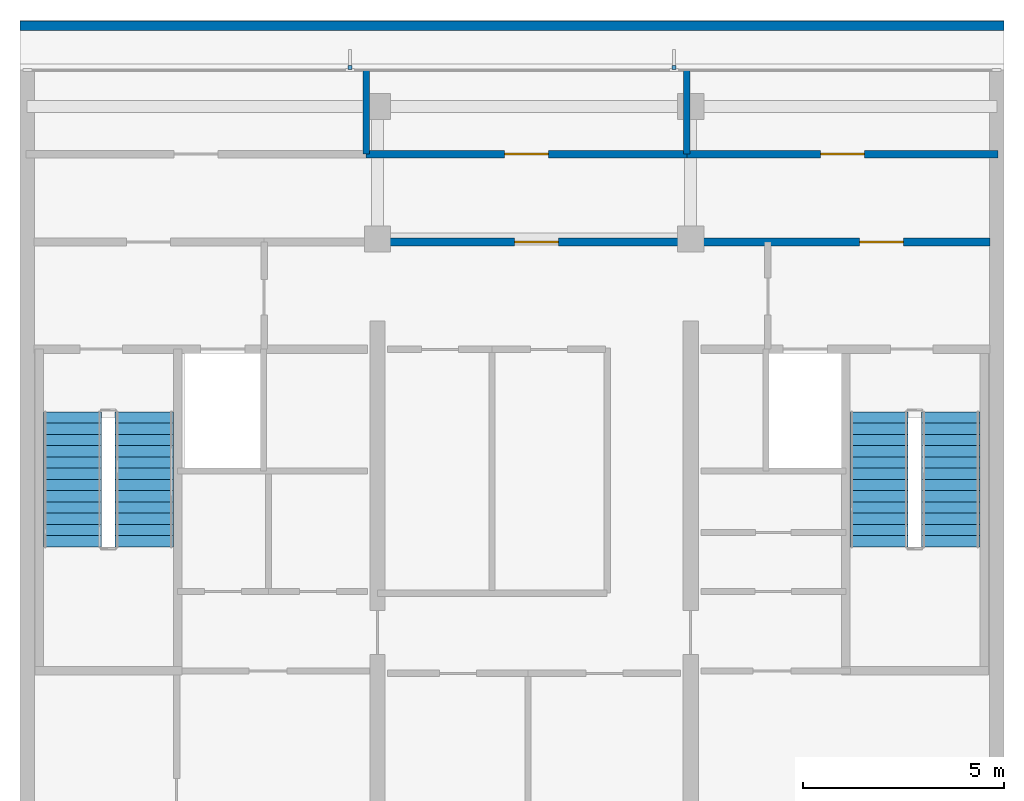
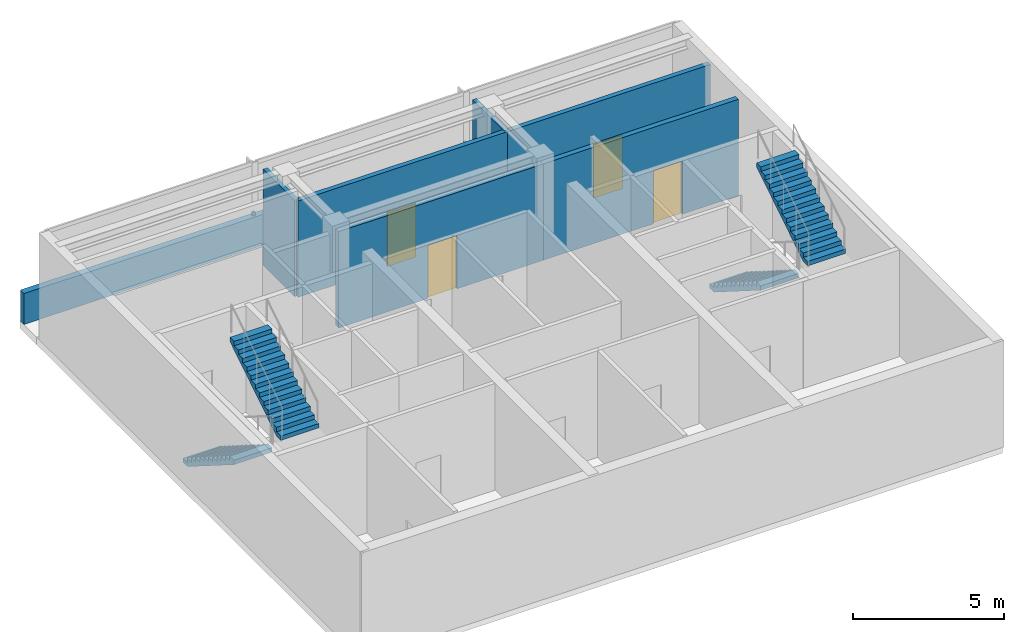
# One storey, part 3 of 4: 7 walls, 4 doors, 4 stair flights, 2 discrete accessories, 4 openings, 2 elements without a shape of their own.
"""IFC4 building model written with IfcOpenShell, lengths in metres."""

from ifc_helpers import new_model, si_unit, direction, frame, frame_2d, origin, place, context, subcontext, project, spatial, polyline, rectangle, outline, extrude, material, layer, layer_set, type_object, element, fill, aggregate, save


model = new_model("IFC4")

# Units and contexts
model_context = context("Model", 3, precision=1e-05, world=origin(), true_north=direction((0.0, 1.0)))
body_context = subcontext(model_context, "Body", "Model", "MODEL_VIEW")
ifc_project = project(units=[si_unit("LENGTHUNIT", "METRE"), si_unit("AREAUNIT", "SQUARE_METRE"), si_unit("VOLUMEUNIT", "CUBIC_METRE"), si_unit("PLANEANGLEUNIT", "RADIAN"), si_unit("MASSUNIT", "GRAM", prefix="KILO")], contexts=[model_context])

# Site, building, storey
site_placement = place(None, origin())
site = spatial("IfcSite", under=ifc_project, at=site_placement, CompositionType="ELEMENT")
building_placement = place(site_placement, origin())
building = spatial("IfcBuilding", under=site, at=building_placement, Name="Qalmaran Belvedere Hotel", CompositionType="ELEMENT")
storey_placement = place(building_placement, frame((0.0, 0.0, 312.5)))
storey = spatial("IfcBuildingStorey", under=building, at=storey_placement, Name="C04", CompositionType="ELEMENT", Elevation=312.5)

# Walls
ifc_material_1 = material(Name="Gypsum Stud Partition")
ifc_layer_1 = layer(ifc_material_1, 0.159912109375, Name="Gypsum Stud Partition")
ifc_layer_set_1 = layer_set([ifc_layer_1], Name="Gypsum Stud Partition")
wall_type_1 = type_object("IfcWallType", Name="WL-INT-160-EI120", PredefinedType="PARTITIONING", material=ifc_layer_set_1)
for number, where, z_axis, x_axis, name in (
    (1, (28.919921875, 22.610107421875, 0.0), (0.0, 0.0, 1.0), (0.0, 1.0, 0.0), "C04 Partition WL-C04-CV1"),
    (2, (36.906005859375, 22.610107421875, 0.0), (0.0, 0.0, 1.0), (0.0, 1.0, 0.0), "C04 Partition WL-C04-CV2"),
):
    element("IfcWall", number, at=place(storey_placement, frame(where, z_axis=z_axis, x_axis=x_axis)), inside=storey, type_object=wall_type_1, Name=name, PredefinedType="PARTITIONING", context=body_context, shape_type="SweptSolid", body=[
        extrude(rectangle(XDim=2.08984375, YDim=0.159912109375, at=frame_2d((1.044921875, 0.0))), origin(), (0.0, 0.0, 1.0), 3.885009765625),
    ])

# Wall, opening, door
ifc_layer_2 = layer(ifc_material_1, 0.179931640625, Name="Gypsum Stud Partition")
ifc_layer_set_2 = layer_set([ifc_layer_2], Name="Gypsum Stud Partition")
wall_type_2 = type_object("IfcWallType", Name="WL-INT-180-EI120", PredefinedType="PARTITIONING", material=ifc_layer_set_2)
wall_1_placement = place(storey_placement, frame((28.919921875, 22.610107421875, 0.0), z_axis=(0.0, 0.0, 1.0), x_axis=(1.0, 0.0, 0.0)))
wall_1 = element("IfcWall", 3, at=wall_1_placement, inside=storey, type_object=wall_type_2, Name="C04 Partition WL-C04-CCN2", PredefinedType="PARTITIONING", context=body_context, shape_type="SweptSolid", body=[
    extrude(rectangle(XDim=7.986083984375, YDim=0.179931640625, at=frame_2d((3.9931640625, 0.0))), origin(), (0.0, 0.0, 1.0), 3.885009765625),
])
opening_1_placement = place(wall_1_placement, frame((3.443115234375, 0.0, 0.0)))
opening_1 = element("IfcOpeningElement", 4, at=opening_1_placement, cuts=wall_1, Name="Opening FD90", PredefinedType="OPENING", context=body_context, shape_type="SweptSolid", body=[
    extrude(rectangle(XDim=1.10009765625, YDim=2.14990234375, at=frame_2d((0.550048828125, 1.074951171875))), frame((0.0, 0.10009765625, 0.0), z_axis=(0.0, -1.0, 0.0), x_axis=(1.0, 0.0, 0.0)), (0.0, 0.0, 1.0), 0.199951171875),
])
ifc_material_2 = material(Name="Steel S355JR", Category="steel")
door_type = type_object("IfcDoorType", Name="DR-FD90-1100X2150", OperationType="NOTDEFINED", PredefinedType="DOOR", material=ifc_material_2)
door_1_placement = place(opening_1_placement, origin())
door_1 = element("IfcDoor", 5, at=door_1_placement, inside=storey, type_object=door_type, Name="C04 Smoke Extract and AHU Plant Room Door", OperationType="SINGLE_SWING_LEFT", OverallHeight=2.14990234375, OverallWidth=1.10009765625, PredefinedType="DOOR", context=body_context, shape_type="SweptSolid", body=[
    extrude(rectangle(XDim=1.10009765625, YDim=2.14990234375, at=frame_2d((0.550048828125, 1.074951171875))), frame((0.0, 0.02490234375, 0.0), z_axis=(0.0, -1.0, 0.0), x_axis=(1.0, 0.0, 0.0)), (0.0, 0.0, 1.0), 0.050048828125),
])
fill(opening_1, door_1)

wall_2_placement = place(storey_placement, frame((36.906005859375, 22.610107421875, 0.0), z_axis=(0.0, 0.0, 1.0), x_axis=(1.0, 0.0, 0.0)))
wall_2 = element("IfcWall", 6, at=wall_2_placement, inside=storey, type_object=wall_type_2, Name="C04 Partition WL-C04-CCN3", PredefinedType="PARTITIONING", context=body_context, shape_type="SweptSolid", body=[
    extrude(rectangle(XDim=7.743896484375, YDim=0.179931640625, at=frame_2d((3.8720703125, 0.0))), origin(), (0.0, 0.0, 1.0), 3.885009765625),
])
opening_2_placement = place(wall_2_placement, frame((3.322021484375, 0.0, 0.0)))
opening_2 = element("IfcOpeningElement", 7, at=opening_2_placement, cuts=wall_2, Name="Opening FD90", PredefinedType="OPENING", context=body_context, shape_type="SweptSolid", body=[
    extrude(rectangle(XDim=1.10009765625, YDim=2.14990234375, at=frame_2d((0.550048828125, 1.074951171875))), frame((0.0, 0.10009765625, 0.0), z_axis=(0.0, -1.0, 0.0), x_axis=(1.0, 0.0, 0.0)), (0.0, 0.0, 1.0), 0.199951171875),
])
door_2_placement = place(opening_2_placement, origin())
door_2 = element("IfcDoor", 8, at=door_2_placement, inside=storey, type_object=door_type, Name="C04 BMU and Break Tank Plant Room Door", OperationType="SINGLE_SWING_RIGHT", OverallHeight=2.14990234375, OverallWidth=1.10009765625, PredefinedType="DOOR", context=body_context, shape_type="SweptSolid", body=[
    extrude(rectangle(XDim=1.10009765625, YDim=2.14990234375, at=frame_2d((0.550048828125, 1.074951171875))), frame((0.0, 0.02490234375, 0.0), z_axis=(0.0, -1.0, 0.0), x_axis=(1.0, 0.0, 0.0)), (0.0, 0.0, 1.0), 0.050048828125),
])
fill(opening_2, door_2)

ifc_material_3 = material(Name="Concrete C30/37 Blockwork", Category="masonry")
ifc_layer_3 = layer(ifc_material_3, 0.199951171875, Name="Concrete C30/37 Blockwork")
ifc_layer_set_3 = layer_set([ifc_layer_3], Name="Concrete C30/37 Blockwork")
wall_type_3 = type_object("IfcWallType", Name="WL-INT-200-EI120", PredefinedType="PARTITIONING", material=ifc_layer_set_3)
wall_3_placement = place(storey_placement, frame((29.199951171875, 20.419921875, 0.0), z_axis=(0.0, 0.0, 1.0), x_axis=(1.0, 0.0, 0.0)))
wall_3 = element("IfcWall", 9, at=wall_3_placement, inside=storey, type_object=wall_type_3, Name="C04 Partition WL-CN2-C04", PredefinedType="PARTITIONING", context=body_context, shape_type="SweptSolid", body=[
    extrude(rectangle(XDim=7.800048828125, YDim=0.199951171875, at=frame_2d((3.89990234375, 0.0))), origin(), (0.0, 0.0, 1.0), 3.885009765625),
])
opening_3_placement = place(wall_3_placement, frame((3.4091796875, 0.0, 0.0)))
opening_3 = element("IfcOpeningElement", 10, at=opening_3_placement, cuts=wall_3, Name="Opening FD90", PredefinedType="OPENING", context=body_context, shape_type="SweptSolid", body=[
    extrude(rectangle(XDim=1.10009765625, YDim=2.14990234375, at=frame_2d((0.550048828125, 1.074951171875))), frame((0.0, 0.10986328125, 0.0), z_axis=(0.0, -1.0, 0.0), x_axis=(1.0, 0.0, 0.0)), (0.0, 0.0, 1.0), 0.219970703125),
])
door_3_placement = place(opening_3_placement, origin())
door_3 = element("IfcDoor", 11, at=door_3_placement, inside=storey, type_object=door_type, Name="C04 Central Lift Lobby Door", OperationType="SINGLE_SWING_LEFT", OverallHeight=2.14990234375, OverallWidth=1.10009765625, PredefinedType="DOOR", context=body_context, shape_type="SweptSolid", body=[
    extrude(rectangle(XDim=1.10009765625, YDim=2.14990234375, at=frame_2d((0.550048828125, 1.074951171875))), frame((0.0, 0.02490234375, 0.0), z_axis=(0.0, -1.0, 0.0), x_axis=(1.0, 0.0, 0.0)), (0.0, 0.0, 1.0), 0.050048828125),
])
fill(opening_3, door_3)

wall_4_placement = place(storey_placement, frame((37.0, 20.419921875, 0.0), z_axis=(0.0, 0.0, 1.0), x_axis=(1.0, 0.0, 0.0)))
wall_4 = element("IfcWall", 12, at=wall_4_placement, inside=storey, type_object=wall_type_3, Name="C04 Partition WL-CN3-C04", PredefinedType="PARTITIONING", context=body_context, shape_type="SweptSolid", body=[
    extrude(rectangle(XDim=7.449951171875, YDim=0.199951171875, at=frame_2d((3.72509765625, 0.0))), origin(), (0.0, 0.0, 1.0), 3.885009765625),
])
opening_4_placement = place(wall_4_placement, frame((4.199951171875, 0.0, 0.0)))
opening_4 = element("IfcOpeningElement", 13, at=opening_4_placement, cuts=wall_4, Name="Opening FD90", PredefinedType="OPENING", context=body_context, shape_type="SweptSolid", body=[
    extrude(rectangle(XDim=1.10009765625, YDim=2.14990234375, at=frame_2d((0.550048828125, 1.074951171875))), frame((0.0, 0.10986328125, 0.0), z_axis=(0.0, -1.0, 0.0), x_axis=(1.0, 0.0, 0.0)), (0.0, 0.0, 1.0), 0.219970703125),
])
door_4_placement = place(opening_4_placement, origin())
door_4 = element("IfcDoor", 14, at=door_4_placement, inside=storey, type_object=door_type, Name="C04 FF2 Lobby Corridor Door", OperationType="SINGLE_SWING_RIGHT", OverallHeight=2.14990234375, OverallWidth=1.10009765625, PredefinedType="DOOR", context=body_context, shape_type="SweptSolid", body=[
    extrude(rectangle(XDim=1.10009765625, YDim=2.14990234375, at=frame_2d((0.550048828125, 1.074951171875))), frame((0.0, 0.02490234375, 0.0), z_axis=(0.0, -1.0, 0.0), x_axis=(1.0, 0.0, 0.0)), (0.0, 0.0, 1.0), 0.050048828125),
])
fill(opening_4, door_4)

# Wall
ifc_material_4 = material(Name="Concrete C40/50", Category="concrete")
ifc_layer_4 = layer(ifc_material_4, 0.239990234375, Name="Concrete C40/50")
ifc_layer_set_4 = layer_set([ifc_layer_4], Name="Concrete C40/50")
wall_type_4 = type_object("IfcWallType", Name="WL-PARAPET-240", PredefinedType="PARAPET", material=ifc_layer_set_4)
wall_5_placement = place(storey_placement, frame((44.800048828125, 25.81005859375, 0.0), z_axis=(0.0, 0.0, 1.0), x_axis=(-1.0, 0.0, 0.0)))
element("IfcWall", 15, at=wall_5_placement, inside=storey, type_object=wall_type_4, Name="C04 Roof Parapet 3", PredefinedType="PARAPET", context=body_context, shape_type="SweptSolid", body=[
    extrude(rectangle(XDim=24.5, YDim=0.239990234375, at=frame_2d((12.25, 0.0))), origin(), (0.0, 0.0, 1.0), 1.25),
])

# Stair, stair flights
stair_type_1 = type_object("IfcStairType", Name="STR-ST-1-1450-R1769", PredefinedType="HALF_TURN_STAIR", material=ifc_material_4)
stair_1_placement = place(storey_placement, origin())
stair_1 = element("IfcStair", 16, at=stair_1_placement, inside=storey, type_object=stair_type_1, Name="C04 West Core Exit Stair ST-1", PredefinedType="HALF_TURN_STAIR")
ifc_layer_5 = layer(ifc_material_4, 0.14990234375, Name="Concrete C40/50")
ifc_layer_set_5 = layer_set([ifc_layer_5], Name="Concrete C40/50")
stair_flight_type_1 = type_object("IfcStairFlightType", Name="STF-ST-1-1450-R1769", PredefinedType="STRAIGHT", material=ifc_layer_set_5)
stair_flight_1_placement = place(storey_placement, frame((21.60498046875, 16.18994140625, 0.0), z_axis=(0.0, 0.0, 1.0), x_axis=(0.0, -1.0, 0.0)))
stair_flight_1 = element("IfcStairFlight", 17, at=stair_flight_1_placement, type_object=stair_flight_type_1, Name="ST-1 flight 1", NumberOfRisers=13, NumberOfTreads=12, PredefinedType="STRAIGHT", RiserHeight=0.176923077, TreadLength=0.28, context=body_context, shape_type="SweptSolid", body=[
    extrude(outline(polyline([(0.0, 0.0), (0.0, 0.177001953125), (0.280029296875, 0.177001953125), (0.280029296875, 0.353759765625), (0.56005859375, 0.353759765625), (0.56005859375, 0.53076171875), (0.840087890625, 0.53076171875), (0.840087890625, 0.707763671875), (1.1201171875, 0.707763671875), (1.1201171875, 0.884521484375), (1.39990234375, 0.884521484375), (1.39990234375, 1.0615234375), (1.679931640625, 1.0615234375), (1.679931640625, 1.238525390625), (1.9599609375, 1.238525390625), (1.9599609375, 1.415283203125), (2.239990234375, 1.415283203125), (2.239990234375, 1.59228515625), (2.52001953125, 1.59228515625), (2.52001953125, 1.769287109375), (2.800048828125, 1.769287109375), (2.800048828125, 1.946044921875), (3.080078125, 1.946044921875), (3.080078125, 2.123046875), (3.360107421875, 2.123046875), (3.360107421875, 2.300048828125), (3.360107421875, 1.94580078125), (0.280517578125, 0.0), (0.0, 0.0)])), frame((0.0, 0.72509765625, 0.0), z_axis=(0.0, -1.0, 0.0), x_axis=(1.0, 0.0, 0.0)), (0.0, 0.0, 1.0), 1.449951171875),
])
stair_flight_2_placement = place(storey_placement, frame((23.39501953125, 12.830078125, 2.300048828125), z_axis=(0.0, 0.0, 1.0), x_axis=(0.0, 1.0, 0.0)))
stair_flight_2 = element("IfcStairFlight", 18, at=stair_flight_2_placement, type_object=stair_flight_type_1, Name="ST-1 flight 2", NumberOfRisers=13, NumberOfTreads=12, PredefinedType="STRAIGHT", RiserHeight=0.176923077, TreadLength=0.28, context=body_context, shape_type="SweptSolid", body=[
    extrude(outline(polyline([(0.0, 0.0), (0.0, 0.177001953125), (0.280029296875, 0.177001953125), (0.280029296875, 0.353759765625), (0.56005859375, 0.353759765625), (0.56005859375, 0.53076171875), (0.840087890625, 0.53076171875), (0.840087890625, 0.707763671875), (1.1201171875, 0.707763671875), (1.1201171875, 0.884521484375), (1.39990234375, 0.884521484375), (1.39990234375, 1.0615234375), (1.679931640625, 1.0615234375), (1.679931640625, 1.238525390625), (1.9599609375, 1.238525390625), (1.9599609375, 1.415283203125), (2.239990234375, 1.415283203125), (2.239990234375, 1.59228515625), (2.52001953125, 1.59228515625), (2.52001953125, 1.769287109375), (2.800048828125, 1.769287109375), (2.800048828125, 1.946044921875), (3.080078125, 1.946044921875), (3.080078125, 2.123046875), (3.360107421875, 2.123046875), (3.360107421875, 2.300048828125), (3.360107421875, 1.94580078125), (0.280517578125, 0.0), (0.0, 0.0)])), frame((0.0, 0.72509765625, 0.0), z_axis=(0.0, -1.0, 0.0), x_axis=(1.0, 0.0, 0.0)), (0.0, 0.0, 1.0), 1.449951171875),
])
aggregate(stair_1, [stair_flight_1, stair_flight_2])

stair_type_2 = type_object("IfcStairType", Name="STR-ST-2-1450-R1769", PredefinedType="HALF_TURN_STAIR", material=ifc_material_4)
stair_2_placement = place(storey_placement, origin())
stair_2 = element("IfcStair", 19, at=stair_2_placement, inside=storey, type_object=stair_type_2, Name="C04 East Core Exit Stair ST-2", PredefinedType="HALF_TURN_STAIR")
ifc_layer_6 = layer(ifc_material_4, 0.14990234375, Name="Concrete C40/50")
ifc_layer_set_6 = layer_set([ifc_layer_6], Name="Concrete C40/50")
stair_flight_type_2 = type_object("IfcStairFlightType", Name="STF-ST-2-1450-R1769", PredefinedType="STRAIGHT", material=ifc_layer_set_6)
stair_flight_3_placement = place(storey_placement, frame((41.68505859375, 16.18994140625, 0.0), z_axis=(0.0, 0.0, 1.0), x_axis=(0.0, -1.0, 0.0)))
stair_flight_3 = element("IfcStairFlight", 20, at=stair_flight_3_placement, type_object=stair_flight_type_2, Name="ST-2 flight 1", NumberOfRisers=13, NumberOfTreads=12, PredefinedType="STRAIGHT", RiserHeight=0.176923077, TreadLength=0.28, context=body_context, shape_type="SweptSolid", body=[
    extrude(outline(polyline([(0.0, 0.0), (0.0, 0.177001953125), (0.280029296875, 0.177001953125), (0.280029296875, 0.353759765625), (0.56005859375, 0.353759765625), (0.56005859375, 0.53076171875), (0.840087890625, 0.53076171875), (0.840087890625, 0.707763671875), (1.1201171875, 0.707763671875), (1.1201171875, 0.884521484375), (1.39990234375, 0.884521484375), (1.39990234375, 1.0615234375), (1.679931640625, 1.0615234375), (1.679931640625, 1.238525390625), (1.9599609375, 1.238525390625), (1.9599609375, 1.415283203125), (2.239990234375, 1.415283203125), (2.239990234375, 1.59228515625), (2.52001953125, 1.59228515625), (2.52001953125, 1.769287109375), (2.800048828125, 1.769287109375), (2.800048828125, 1.946044921875), (3.080078125, 1.946044921875), (3.080078125, 2.123046875), (3.360107421875, 2.123046875), (3.360107421875, 2.300048828125), (3.360107421875, 1.94580078125), (0.280517578125, 0.0), (0.0, 0.0)])), frame((0.0, 0.72509765625, 0.0), z_axis=(0.0, -1.0, 0.0), x_axis=(1.0, 0.0, 0.0)), (0.0, 0.0, 1.0), 1.449951171875),
])
stair_flight_4_placement = place(storey_placement, frame((43.47509765625, 12.830078125, 2.300048828125), z_axis=(0.0, 0.0, 1.0), x_axis=(0.0, 1.0, 0.0)))
stair_flight_4 = element("IfcStairFlight", 21, at=stair_flight_4_placement, type_object=stair_flight_type_2, Name="ST-2 flight 2", NumberOfRisers=13, NumberOfTreads=12, PredefinedType="STRAIGHT", RiserHeight=0.176923077, TreadLength=0.28, context=body_context, shape_type="SweptSolid", body=[
    extrude(outline(polyline([(0.0, 0.0), (0.0, 0.177001953125), (0.280029296875, 0.177001953125), (0.280029296875, 0.353759765625), (0.56005859375, 0.353759765625), (0.56005859375, 0.53076171875), (0.840087890625, 0.53076171875), (0.840087890625, 0.707763671875), (1.1201171875, 0.707763671875), (1.1201171875, 0.884521484375), (1.39990234375, 0.884521484375), (1.39990234375, 1.0615234375), (1.679931640625, 1.0615234375), (1.679931640625, 1.238525390625), (1.9599609375, 1.238525390625), (1.9599609375, 1.415283203125), (2.239990234375, 1.415283203125), (2.239990234375, 1.59228515625), (2.52001953125, 1.59228515625), (2.52001953125, 1.769287109375), (2.800048828125, 1.769287109375), (2.800048828125, 1.946044921875), (3.080078125, 1.946044921875), (3.080078125, 2.123046875), (3.360107421875, 2.123046875), (3.360107421875, 2.300048828125), (3.360107421875, 1.94580078125), (0.280517578125, 0.0), (0.0, 0.0)])), frame((0.0, 0.72509765625, 0.0), z_axis=(0.0, -1.0, 0.0), x_axis=(1.0, 0.0, 0.0)), (0.0, 0.0, 1.0), 1.449951171875),
])
aggregate(stair_2, [stair_flight_3, stair_flight_4])

# Discrete accessories
ifc_material_5 = material(Name="Stainless Steel 1.4401", Category="steel")
discrete_accessory_type = type_object("IfcDiscreteAccessoryType", Name="BRK-FIN-SS316", PredefinedType="BRACKET", material=ifc_material_5)
discrete_accessory_1_placement = place(storey_placement, frame((0.0, 0.0, 2.10009765625)))
element("IfcDiscreteAccessory", 22, at=discrete_accessory_1_placement, inside=storey, type_object=discrete_accessory_type, Name="C04 Fin Bracket 1", PredefinedType="BRACKET", context=body_context, shape_type="SweptSolid", body=[
    extrude(outline(polyline([(36.63818359375, 24.715087890625), (36.63818359375, 24.8125), (36.5283203125, 24.8125), (36.5283203125, 24.715087890625), (36.63818359375, 24.715087890625)])), origin(), (0.0, 0.0, 1.0), 0.139892578125),
])
discrete_accessory_2_placement = place(storey_placement, frame((0.0, 0.0, 2.10009765625)))
element("IfcDiscreteAccessory", 23, at=discrete_accessory_2_placement, inside=storey, type_object=discrete_accessory_type, Name="C04 Fin Bracket 2", PredefinedType="BRACKET", context=body_context, shape_type="SweptSolid", body=[
    extrude(outline(polyline([(28.57177734375, 24.715087890625), (28.57177734375, 24.8125), (28.461669921875, 24.8125), (28.461669921875, 24.715087890625), (28.57177734375, 24.715087890625)])), origin(), (0.0, 0.0, 1.0), 0.139892578125),
])

save(model, "model.ifc")
